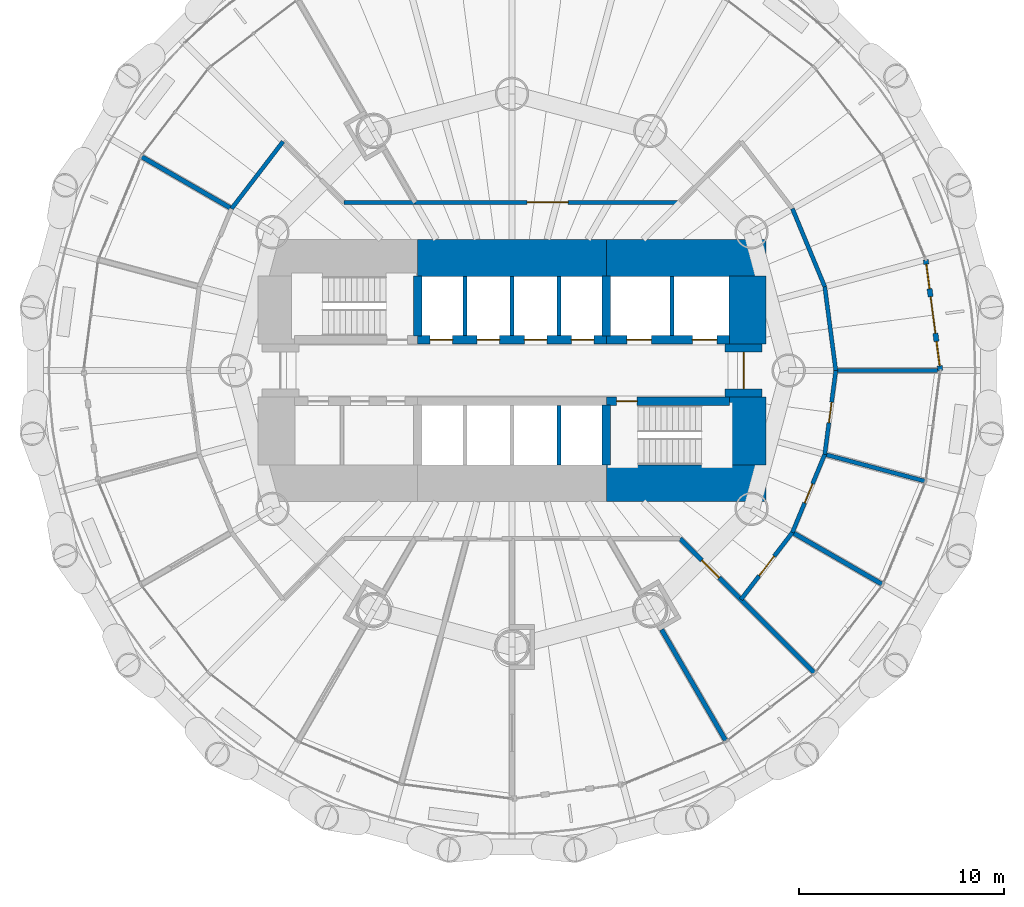
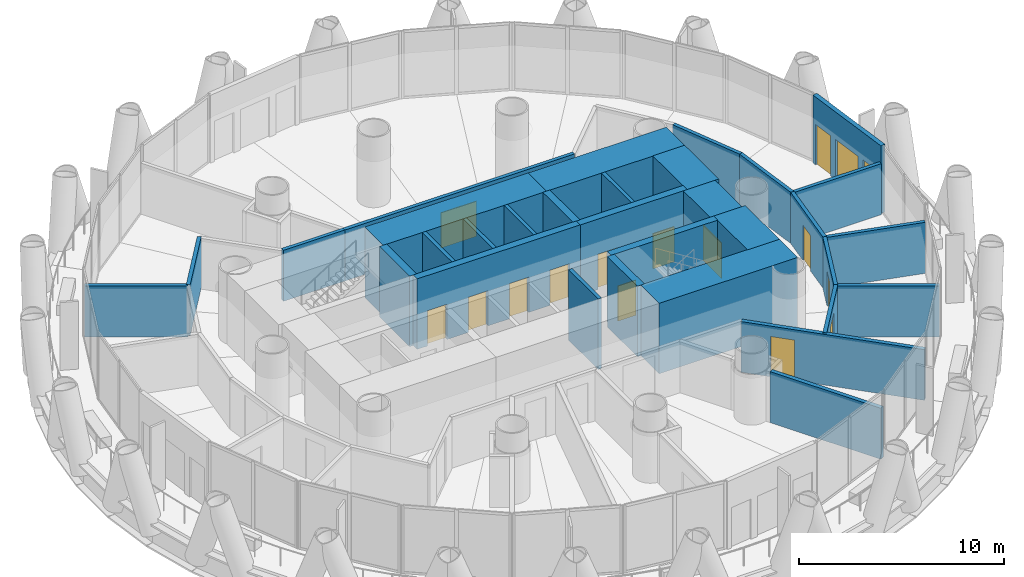
# One storey, part 11 of 15: 32 walls, 14 doors, 2 windows, 16 openings.
"""IFC4 building model written with IfcOpenShell, lengths in metres."""

from ifc_helpers import new_model, si_unit, direction, frame, frame_2d, origin, place, context, subcontext, project, spatial, rectangle, extrude, material, layer, layer_set, type_object, element, fill, save


model = new_model("IFC4")

# Units and contexts
model_context = context("Model", 3, precision=1e-05, world=origin(), true_north=direction((0.0, 1.0)))
body_context = subcontext(model_context, "Body", "Model", "MODEL_VIEW")
ifc_project = project(units=[si_unit("LENGTHUNIT", "METRE"), si_unit("AREAUNIT", "SQUARE_METRE"), si_unit("VOLUMEUNIT", "CUBIC_METRE"), si_unit("PLANEANGLEUNIT", "RADIAN"), si_unit("MASSUNIT", "GRAM", prefix="KILO")], contexts=[model_context])

# Site, building, storey
site_placement = place(None, origin())
site = spatial("IfcSite", under=ifc_project, at=site_placement, CompositionType="ELEMENT")
building_placement = place(site_placement, origin())
building = spatial("IfcBuilding", under=site, at=building_placement, Name="Qaws Media Tower", CompositionType="ELEMENT")
storey_placement = place(building_placement, frame((0.0, 0.0, 30.199951171875)))
storey = spatial("IfcBuildingStorey", under=building, at=storey_placement, Name="L05", CompositionType="ELEMENT", Elevation=30.199951171875)

# Walls
ifc_material_1 = material(Name="Twin metal stud frames, two layers gypsum board each side, insulated, Rw 55", Category="gypsum")
ifc_layer_1 = layer(ifc_material_1, 0.22509765625)
ifc_layer_set_1 = layer_set([ifc_layer_1], Name="Acoustic twin-stud partition 225 Rw 55")
wall_type_1 = type_object("IfcWallType", Name="Acoustic twin-stud partition 225 Rw 55", PredefinedType="PARTITIONING", material=ifc_layer_set_1)
wall_1_placement = place(storey_placement, frame((46.31689453125, 57.89990234375, 0.0), z_axis=(0.0, 0.0, 1.0), x_axis=(-0.866022478443, 0.500005066806, 0.0)))
element("IfcWall", 1, at=wall_1_placement, inside=storey, type_object=wall_type_1, Name="W004 IW6 partition L05", PredefinedType="PARTITIONING", context=body_context, shape_type="SweptSolid", body=[
    extrude(rectangle(XDim=5.06005859375, YDim=0.22509765625, at=frame_2d((2.530029296875, 0.0))), origin(), (0.0, 0.0, 1.0), 3.0400390625),
])
wall_2_placement = place(storey_placement, frame((67.299072265625, 37.35791015625, 0.0), z_axis=(0.0, 0.0, 1.0), x_axis=(0.499980071345, -0.866036909293, 0.0)))
element("IfcWall", 2, at=wall_2_placement, inside=storey, type_object=wall_type_1, Name="W020 IW6 partition L05", PredefinedType="PARTITIONING", context=body_context, shape_type="SweptSolid", body=[
    extrude(rectangle(XDim=6.261962890625, YDim=0.22509765625, at=frame_2d((3.130859375, 0.0))), origin(), (0.0, 0.0, 1.0), 3.0400390625),
])

# Wall, opening, door
wall_3_placement = place(storey_placement, frame((68.199951171875, 41.800048828125, 0.0), z_axis=(0.0, 0.0, 1.0), x_axis=(0.707106781187, -0.707106781187, 0.0)))
wall_3 = element("IfcWall", 3, at=wall_3_placement, inside=storey, type_object=wall_type_1, Name="W021 IW6 partition L05", PredefinedType="PARTITIONING", context=body_context, shape_type="SweptSolid", body=[
    extrude(rectangle(XDim=9.263427734375, YDim=0.22509765625, at=frame_2d((4.6318359375, 0.0))), origin(), (0.0, 0.0, 1.0), 3.02001953125),
])
opening_1_placement = place(wall_3_placement, frame((1.501708984375, 0.0, 0.0)))
opening_1 = element("IfcOpeningElement", 4, at=opening_1_placement, cuts=wall_3, Name="Opening D14", PredefinedType="OPENING", context=body_context, shape_type="SweptSolid", body=[
    extrude(rectangle(XDim=1.199951171875, YDim=2.39990234375, at=frame_2d((0.60009765625, 1.199951171875))), frame((0.0, 0.12255859375, 0.0), z_axis=(0.0, -1.0, 0.0), x_axis=(1.0, 0.0, 0.0)), (0.0, 0.0, 1.0), 0.2451171875),
])
ifc_material_2 = material(Name="Steel acoustic door set, Rw 45", Category="steel")
door_type_1 = type_object("IfcDoorType", Name="Acoustic door 1200x2400 Rw 45", OperationType="SINGLE_SWING_LEFT", PredefinedType="DOOR", material=ifc_material_2)
door_1_placement = place(opening_1_placement, origin())
door_1 = element("IfcDoor", 5, at=door_1_placement, inside=storey, type_object=door_type_1, Name="D14 Podcast booth door L05 in wall W021", OperationType="SINGLE_SWING_LEFT", OverallHeight=2.39990234375, OverallWidth=1.199951171875, PredefinedType="DOOR", context=body_context, shape_type="SweptSolid", body=[
    extrude(rectangle(XDim=1.199951171875, YDim=2.39990234375, at=frame_2d((0.60009765625, 1.199951171875))), frame((0.0, 0.02490234375, 0.0), z_axis=(0.0, -1.0, 0.0), x_axis=(1.0, 0.0, 0.0)), (0.0, 0.0, 1.0), 0.050048828125),
])
fill(opening_1, door_1)

# Wall
wall_4_placement = place(storey_placement, frame((73.68310546875, 42.10009765625, 0.0), z_axis=(0.0, 0.0, 1.0), x_axis=(0.866022478443, -0.500005066806, 0.0)))
element("IfcWall", 6, at=wall_4_placement, inside=storey, type_object=wall_type_1, Name="W022 IW6 partition L05", PredefinedType="PARTITIONING", context=body_context, shape_type="SweptSolid", body=[
    extrude(rectangle(XDim=5.06005859375, YDim=0.22509765625, at=frame_2d((2.530029296875, 0.0))), origin(), (0.0, 0.0, 1.0), 3.0400390625),
])

# Wall, openings, door, windows
ifc_material_3 = material(Name="Precast concrete, exposed finish", Category="concrete")
ifc_layer_2 = layer(ifc_material_3, 0.25)
ifc_layer_set_2 = layer_set([ifc_layer_2], Name="Balcony door wall 250")
wall_type_2 = type_object("IfcWallType", Name="Balcony door wall 250", PredefinedType="SOLIDWALL", material=ifc_layer_set_2)
wall_5_placement = place(storey_placement, frame((80.89990234375, 50.0, 0.0), z_axis=(0.0, 0.0, 1.0), x_axis=(-0.130525119492, 0.991445002601, 0.0)))
wall_5 = element("IfcWall", 7, at=wall_5_placement, inside=storey, type_object=wall_type_2, Name="W112 EW1 balcony door wall L05-01", PredefinedType="SOLIDWALL", context=body_context, shape_type="SweptSolid", body=[
    extrude(rectangle(XDim=5.4560546875, YDim=0.25, at=frame_2d((2.72802734375, 0.0))), origin(), (0.0, 0.0, 1.0), 4.0400390625),
])
opening_2_placement = place(wall_5_placement, frame((1.827880859375, 0.0, 0.0)))
opening_2 = element("IfcOpeningElement", 8, at=opening_2_placement, cuts=wall_5, Name="Opening D7", PredefinedType="OPENING", context=body_context, shape_type="SweptSolid", body=[
    extrude(rectangle(XDim=1.800048828125, YDim=2.39990234375, at=frame_2d((0.89990234375, 1.199951171875))), frame((0.0, 0.135009765625, 0.0), z_axis=(0.0, -1.0, 0.0), x_axis=(1.0, 0.0, 0.0)), (0.0, 0.0, 1.0), 0.27001953125),
])
opening_3_placement = place(wall_5_placement, frame((0.22802734375, 0.0, 0.0)))
opening_3 = element("IfcOpeningElement", 9, at=opening_3_placement, cuts=wall_5, Name="Opening W1", PredefinedType="OPENING", context=body_context, shape_type="SweptSolid", body=[
    extrude(rectangle(XDim=1.199951171875, YDim=2.39990234375, at=frame_2d((0.60009765625, 1.199951171875))), frame((0.0, 0.135009765625, 0.0), z_axis=(0.0, -1.0, 0.0), x_axis=(1.0, 0.0, 0.0)), (0.0, 0.0, 1.0), 0.27001953125),
])
opening_4_placement = place(wall_5_placement, frame((4.028076171875, 0.0, 0.0)))
opening_4 = element("IfcOpeningElement", 10, at=opening_4_placement, cuts=wall_5, Name="Opening W1", PredefinedType="OPENING", context=body_context, shape_type="SweptSolid", body=[
    extrude(rectangle(XDim=1.199951171875, YDim=2.39990234375, at=frame_2d((0.60009765625, 1.199951171875))), frame((0.0, 0.135009765625, 0.0), z_axis=(0.0, -1.0, 0.0), x_axis=(1.0, 0.0, 0.0)), (0.0, 0.0, 1.0), 0.27001953125),
])
ifc_material_4 = material(Name="Aluminium and clear glass", Category="aluminium")
door_type_2 = type_object("IfcDoorType", Name="Balcony door pair 1800", OperationType="DOUBLE_DOOR_SLIDING", PredefinedType="DOOR", material=ifc_material_4)
door_2_placement = place(opening_2_placement, origin())
door_2 = element("IfcDoor", 11, at=door_2_placement, inside=storey, type_object=door_type_2, Name="D7 balcony door L05-01 in wall W112", OperationType="DOUBLE_DOOR_SLIDING", OverallHeight=2.39990234375, OverallWidth=1.800048828125, PredefinedType="DOOR", context=body_context, shape_type="SweptSolid", body=[
    extrude(rectangle(XDim=1.800048828125, YDim=2.39990234375, at=frame_2d((0.89990234375, 1.199951171875))), frame((0.0, 0.02490234375, 0.0), z_axis=(0.0, -1.0, 0.0), x_axis=(1.0, 0.0, 0.0)), (0.0, 0.0, 1.0), 0.050048828125),
])
fill(opening_2, door_2)
ifc_material_5 = material(Name="Aluminium and clear glass", Category="aluminium")
window_type = type_object("IfcWindowType", Name="Balcony side window 1200", PartitioningType="SINGLE_PANEL", PredefinedType="WINDOW", material=ifc_material_5)
window_1_placement = place(opening_3_placement, origin())
window_1 = element("IfcWindow", 12, at=window_1_placement, inside=storey, type_object=window_type, Name="W1 balcony side light L05-01L", OverallHeight=2.39990234375, OverallWidth=1.199951171875, PartitioningType="SINGLE_PANEL", PredefinedType="WINDOW", context=body_context, shape_type="SweptSolid", body=[
    extrude(rectangle(XDim=1.199951171875, YDim=2.39990234375, at=frame_2d((0.60009765625, 1.199951171875))), frame((0.0, 0.030029296875, 0.0), z_axis=(0.0, -1.0, 0.0), x_axis=(1.0, 0.0, 0.0)), (0.0, 0.0, 1.0), 0.06005859375),
])
fill(opening_3, window_1)
window_2_placement = place(opening_4_placement, origin())
window_2 = element("IfcWindow", 13, at=window_2_placement, inside=storey, type_object=window_type, Name="W1 balcony side light L05-01R", OverallHeight=2.39990234375, OverallWidth=1.199951171875, PartitioningType="SINGLE_PANEL", PredefinedType="WINDOW", context=body_context, shape_type="SweptSolid", body=[
    extrude(rectangle(XDim=1.199951171875, YDim=2.39990234375, at=frame_2d((0.60009765625, 1.199951171875))), frame((0.0, 0.030029296875, 0.0), z_axis=(0.0, -1.0, 0.0), x_axis=(1.0, 0.0, 0.0)), (0.0, 0.0, 1.0), 0.06005859375),
])
fill(opening_4, window_2)

# Wall, openings, doors
ifc_material_6 = material(Name="Concrete C60/75", Category="concrete")
ifc_layer_3 = layer(ifc_material_6, 0.39990234375)
ifc_layer_set_3 = layer_set([ifc_layer_3], Name="Core inner wall 400")
wall_type_3 = type_object("IfcWallType", Name="Core inner wall 400", PredefinedType="SHEAR", material=ifc_layer_set_3)
wall_6_placement = place(storey_placement, frame((55.39990234375, 51.5, 0.0), z_axis=(0.0, 0.0, 1.0), x_axis=(1.0, 0.0, 0.0)))
wall_6 = element("IfcWall", 14, at=wall_6_placement, inside=storey, type_object=wall_type_3, Name="W314 SW4 core wall SPN L05", PredefinedType="SHEAR", context=body_context, shape_type="SweptSolid", body=[
    extrude(rectangle(XDim=9.2001953125, YDim=0.39990234375, at=frame_2d((4.60009765625, 0.0))), origin(), (0.0, 0.0, 1.0), 4.199951171875),
])
opening_5_placement = place(wall_6_placement, frame((0.60009765625, 0.0, 0.0)))
opening_5 = element("IfcOpeningElement", 15, at=opening_5_placement, cuts=wall_6, Name="Opening LD", PredefinedType="OPENING", context=body_context, shape_type="SweptSolid", body=[
    extrude(rectangle(XDim=1.10009765625, YDim=2.10009765625, at=frame_2d((0.550048828125, 1.050048828125))), frame((0.0, 0.2099609375, 0.0), z_axis=(0.0, -1.0, 0.0), x_axis=(1.0, 0.0, 0.0)), (0.0, 0.0, 1.0), 0.419921875),
])
opening_6_placement = place(wall_6_placement, frame((2.89990234375, 0.0, 0.0)))
opening_6 = element("IfcOpeningElement", 16, at=opening_6_placement, cuts=wall_6, Name="Opening LD", PredefinedType="OPENING", context=body_context, shape_type="SweptSolid", body=[
    extrude(rectangle(XDim=1.10009765625, YDim=2.10009765625, at=frame_2d((0.550048828125, 1.050048828125))), frame((0.0, 0.2099609375, 0.0), z_axis=(0.0, -1.0, 0.0), x_axis=(1.0, 0.0, 0.0)), (0.0, 0.0, 1.0), 0.419921875),
])
opening_7_placement = place(wall_6_placement, frame((5.199951171875, 0.0, 0.0)))
opening_7 = element("IfcOpeningElement", 17, at=opening_7_placement, cuts=wall_6, Name="Opening LD", PredefinedType="OPENING", context=body_context, shape_type="SweptSolid", body=[
    extrude(rectangle(XDim=1.10009765625, YDim=2.10009765625, at=frame_2d((0.550048828125, 1.050048828125))), frame((0.0, 0.2099609375, 0.0), z_axis=(0.0, -1.0, 0.0), x_axis=(1.0, 0.0, 0.0)), (0.0, 0.0, 1.0), 0.419921875),
])
opening_8_placement = place(wall_6_placement, frame((7.5, 0.0, 0.0)))
opening_8 = element("IfcOpeningElement", 18, at=opening_8_placement, cuts=wall_6, Name="Opening LD", PredefinedType="OPENING", context=body_context, shape_type="SweptSolid", body=[
    extrude(rectangle(XDim=1.10009765625, YDim=2.10009765625, at=frame_2d((0.550048828125, 1.050048828125))), frame((0.0, 0.2099609375, 0.0), z_axis=(0.0, -1.0, 0.0), x_axis=(1.0, 0.0, 0.0)), (0.0, 0.0, 1.0), 0.419921875),
])
ifc_material_7 = material(Name="Steel, fire rated", Category="steel")
door_type_3 = type_object("IfcDoorType", Name="Lift landing door 1100", OperationType="SLIDING_TO_LEFT", PredefinedType="DOOR", material=ifc_material_7)
door_3_placement = place(opening_5_placement, origin())
door_3 = element("IfcDoor", 19, at=door_3_placement, inside=storey, type_object=door_type_3, Name="P1 landing door L05 in wall W314", OperationType="SLIDING_TO_LEFT", OverallHeight=2.10009765625, OverallWidth=1.10009765625, PredefinedType="DOOR", context=body_context, shape_type="SweptSolid", body=[
    extrude(rectangle(XDim=1.10009765625, YDim=2.10009765625, at=frame_2d((0.550048828125, 1.050048828125))), frame((0.0, 0.02490234375, 0.0), z_axis=(0.0, -1.0, 0.0), x_axis=(1.0, 0.0, 0.0)), (0.0, 0.0, 1.0), 0.050048828125),
])
fill(opening_5, door_3)
door_4_placement = place(opening_6_placement, origin())
door_4 = element("IfcDoor", 20, at=door_4_placement, inside=storey, type_object=door_type_3, Name="P2 landing door L05 in wall W314", OperationType="SLIDING_TO_LEFT", OverallHeight=2.10009765625, OverallWidth=1.10009765625, PredefinedType="DOOR", context=body_context, shape_type="SweptSolid", body=[
    extrude(rectangle(XDim=1.10009765625, YDim=2.10009765625, at=frame_2d((0.550048828125, 1.050048828125))), frame((0.0, 0.02490234375, 0.0), z_axis=(0.0, -1.0, 0.0), x_axis=(1.0, 0.0, 0.0)), (0.0, 0.0, 1.0), 0.050048828125),
])
fill(opening_6, door_4)
door_5_placement = place(opening_7_placement, origin())
door_5 = element("IfcDoor", 21, at=door_5_placement, inside=storey, type_object=door_type_3, Name="P3 landing door L05 in wall W314", OperationType="SLIDING_TO_LEFT", OverallHeight=2.10009765625, OverallWidth=1.10009765625, PredefinedType="DOOR", context=body_context, shape_type="SweptSolid", body=[
    extrude(rectangle(XDim=1.10009765625, YDim=2.10009765625, at=frame_2d((0.550048828125, 1.050048828125))), frame((0.0, 0.02490234375, 0.0), z_axis=(0.0, -1.0, 0.0), x_axis=(1.0, 0.0, 0.0)), (0.0, 0.0, 1.0), 0.050048828125),
])
fill(opening_7, door_5)
door_6_placement = place(opening_8_placement, origin())
door_6 = element("IfcDoor", 22, at=door_6_placement, inside=storey, type_object=door_type_3, Name="P4 landing door L05 in wall W314", OperationType="SLIDING_TO_LEFT", OverallHeight=2.10009765625, OverallWidth=1.10009765625, PredefinedType="DOOR", context=body_context, shape_type="SweptSolid", body=[
    extrude(rectangle(XDim=1.10009765625, YDim=2.10009765625, at=frame_2d((0.550048828125, 1.050048828125))), frame((0.0, 0.02490234375, 0.0), z_axis=(0.0, -1.0, 0.0), x_axis=(1.0, 0.0, 0.0)), (0.0, 0.0, 1.0), 0.050048828125),
])
fill(opening_8, door_6)

wall_7_placement = place(storey_placement, frame((64.60009765625, 51.5, 0.0), z_axis=(0.0, 0.0, 1.0), x_axis=(1.0, 0.0, 0.0)))
wall_7 = element("IfcWall", 23, at=wall_7_placement, inside=storey, type_object=wall_type_3, Name="W318 SW4 core wall SPNE L05", PredefinedType="SHEAR", context=body_context, shape_type="SweptSolid", body=[
    extrude(rectangle(XDim=6.02001953125, YDim=0.39990234375, at=frame_2d((3.010009765625, 0.0))), origin(), (0.0, 0.0, 1.0), 4.199951171875),
])
opening_9_placement = place(wall_7_placement, frame((1.0, 0.0, 0.0)))
opening_9 = element("IfcOpeningElement", 24, at=opening_9_placement, cuts=wall_7, Name="Opening LD2", PredefinedType="OPENING", context=body_context, shape_type="SweptSolid", body=[
    extrude(rectangle(XDim=1.199951171875, YDim=2.10009765625, at=frame_2d((0.60009765625, 1.050048828125))), frame((0.0, 0.2099609375, 0.0), z_axis=(0.0, -1.0, 0.0), x_axis=(1.0, 0.0, 0.0)), (0.0, 0.0, 1.0), 0.419921875),
])
opening_10_placement = place(wall_7_placement, frame((4.199951171875, 0.0, 0.0)))
opening_10 = element("IfcOpeningElement", 25, at=opening_10_placement, cuts=wall_7, Name="Opening LD2", PredefinedType="OPENING", context=body_context, shape_type="SweptSolid", body=[
    extrude(rectangle(XDim=1.199951171875, YDim=2.10009765625, at=frame_2d((0.60009765625, 1.050048828125))), frame((0.0, 0.2099609375, 0.0), z_axis=(0.0, -1.0, 0.0), x_axis=(1.0, 0.0, 0.0)), (0.0, 0.0, 1.0), 0.419921875),
])
ifc_material_8 = material(Name="Steel, fire rated", Category="steel")
door_type_4 = type_object("IfcDoorType", Name="Lift landing door 1200", OperationType="SLIDING_TO_LEFT", PredefinedType="DOOR", material=ifc_material_8)
door_7_placement = place(opening_9_placement, origin())
door_7 = element("IfcDoor", 26, at=door_7_placement, inside=storey, type_object=door_type_4, Name="FL1 landing door L05 in wall W318", OperationType="SLIDING_TO_LEFT", OverallHeight=2.10009765625, OverallWidth=1.199951171875, PredefinedType="DOOR", context=body_context, shape_type="SweptSolid", body=[
    extrude(rectangle(XDim=1.199951171875, YDim=2.10009765625, at=frame_2d((0.60009765625, 1.050048828125))), frame((0.0, 0.02490234375, 0.0), z_axis=(0.0, -1.0, 0.0), x_axis=(1.0, 0.0, 0.0)), (0.0, 0.0, 1.0), 0.050048828125),
])
fill(opening_9, door_7)
door_8_placement = place(opening_10_placement, origin())
door_8 = element("IfcDoor", 27, at=door_8_placement, inside=storey, type_object=door_type_4, Name="FL2 landing door L05 in wall W318", OperationType="SLIDING_TO_LEFT", OverallHeight=2.10009765625, OverallWidth=1.199951171875, PredefinedType="DOOR", context=body_context, shape_type="SweptSolid", body=[
    extrude(rectangle(XDim=1.199951171875, YDim=2.10009765625, at=frame_2d((0.60009765625, 1.050048828125))), frame((0.0, 0.02490234375, 0.0), z_axis=(0.0, -1.0, 0.0), x_axis=(1.0, 0.0, 0.0)), (0.0, 0.0, 1.0), 0.050048828125),
])
fill(opening_10, door_8)

# Wall, opening, door
wall_8_placement = place(storey_placement, frame((64.60009765625, 48.5, 0.0), z_axis=(0.0, 0.0, 1.0), x_axis=(1.0, 0.0, 0.0)))
wall_8 = element("IfcWall", 28, at=wall_8_placement, inside=storey, type_object=wall_type_3, Name="W317 SW4 core wall SPSE L05", PredefinedType="SHEAR", context=body_context, shape_type="SweptSolid", body=[
    extrude(rectangle(XDim=6.02001953125, YDim=0.39990234375, at=frame_2d((3.010009765625, 0.0))), origin(), (0.0, 0.0, 1.0), 4.199951171875),
])
opening_11_placement = place(wall_8_placement, frame((0.5, 0.0, 0.0)))
opening_11 = element("IfcOpeningElement", 29, at=opening_11_placement, cuts=wall_8, Name="Opening D1", PredefinedType="OPENING", context=body_context, shape_type="SweptSolid", body=[
    extrude(rectangle(XDim=1.0, YDim=2.10009765625, at=frame_2d((0.5, 1.050048828125))), frame((0.0, 0.2099609375, 0.0), z_axis=(0.0, -1.0, 0.0), x_axis=(1.0, 0.0, 0.0)), (0.0, 0.0, 1.0), 0.419921875),
])
ifc_material_9 = material(Name="Steel, fire rated", Category="steel")
door_type_5 = type_object("IfcDoorType", Name="Stair door 1000 FD120", OperationType="SINGLE_SWING_LEFT", PredefinedType="DOOR", material=ifc_material_9)
door_9_placement = place(opening_11_placement, origin())
door_9 = element("IfcDoor", 30, at=door_9_placement, inside=storey, type_object=door_type_5, Name="D1 stair S2 door L05 in wall W317", OperationType="SINGLE_SWING_LEFT", OverallHeight=2.10009765625, OverallWidth=1.0, PredefinedType="DOOR", context=body_context, shape_type="SweptSolid", body=[
    extrude(rectangle(XDim=1.0, YDim=2.10009765625, at=frame_2d((0.5, 1.050048828125))), frame((0.0, 0.02490234375, 0.0), z_axis=(0.0, -1.0, 0.0), x_axis=(1.0, 0.0, 0.0)), (0.0, 0.0, 1.0), 0.050048828125),
])
fill(opening_11, door_9)

# Walls
for number, where, z_axis, x_axis, name in (
    (31, (55.39990234375, 51.679931640625, 0.0), (0.0, 0.0, 1.0), (0.0, 1.0, 0.0), "W315 SW4 core wall XNW L05"),
    (32, (64.60009765625, 51.679931640625, 0.0), (0.0, 0.0, 1.0), (0.0, 1.0, 0.0), "W319 SW4 core wall XNE L05"),
    (33, (64.60009765625, 48.320068359375, 0.0), (0.0, 0.0, 1.0), (0.0, -1.0, 0.0), "W316 SW4 core wall XSE L05"),
):
    element("IfcWall", number, at=place(storey_placement, frame(where, z_axis=z_axis, x_axis=x_axis)), inside=storey, type_object=wall_type_3, Name=name, PredefinedType="SHEAR", context=body_context, shape_type="SweptSolid", body=[
        extrude(rectangle(XDim=2.940185546875, YDim=0.39990234375, at=frame_2d((1.47021484375, 0.0))), origin(), (0.0, 0.0, 1.0), 4.199951171875),
    ])
ifc_material_10 = material(Name="Concrete C60/75", Category="concrete")
ifc_layer_4 = layer(ifc_material_10, 1.800048828125)
ifc_layer_set_4 = layer_set([ifc_layer_4], Name="Core wall 1800")
wall_type_4 = type_object("IfcWallType", Name="Core wall 1800", PredefinedType="SHEAR", material=ifc_layer_set_4)
wall_9_placement = place(storey_placement, frame((55.39990234375, 55.5, 0.0), z_axis=(0.0, 0.0, 1.0), x_axis=(1.0, 0.0, 0.0)))
element("IfcWall", 34, at=wall_9_placement, inside=storey, type_object=wall_type_4, Name="W404 SW11 core wall N L05", PredefinedType="SHEAR", context=body_context, shape_type="SweptSolid", body=[
    extrude(rectangle(XDim=9.2001953125, YDim=1.800048828125, at=frame_2d((4.60009765625, 0.0))), origin(), (0.0, 0.0, 1.0), 4.199951171875),
])
for number, where, z_axis, x_axis, name in (
    (35, (64.60009765625, 55.5, 0.0), (0.0, 0.0, 1.0), (1.0, 0.0, 0.0), "W406 SW11 core wall NE L05"),
    (36, (64.60009765625, 44.5, 0.0), (0.0, 0.0, 1.0), (1.0, 0.0, 0.0), "W405 SW11 core wall SE L05"),
):
    element("IfcWall", number, at=place(storey_placement, frame(where, z_axis=z_axis, x_axis=x_axis)), inside=storey, type_object=wall_type_4, Name=name, PredefinedType="SHEAR", context=body_context, shape_type="SweptSolid", body=[
        extrude(rectangle(XDim=7.7998046875, YDim=1.800048828125, at=frame_2d((3.89990234375, 0.0))), origin(), (0.0, 0.0, 1.0), 4.199951171875),
    ])
wall_10_placement = place(storey_placement, frame((71.5, 45.3798828125, 0.0), z_axis=(0.0, 0.0, 1.0), x_axis=(0.0, 1.0, 0.0)))
element("IfcWall", 37, at=wall_10_placement, inside=storey, type_object=wall_type_4, Name="W414 SW11 core wall ES L05", PredefinedType="SHEAR", context=body_context, shape_type="SweptSolid", body=[
    extrude(rectangle(XDim=3.320068359375, YDim=1.800048828125, at=frame_2d((1.66015625, 0.0))), origin(), (0.0, 0.0, 1.0), 4.199951171875),
])

# Wall, opening, door
wall_11_placement = place(storey_placement, frame((71.300048828125, 48.699951171875, 0.0), z_axis=(0.0, 0.0, 1.0), x_axis=(0.0, 1.0, 0.0)))
wall_11 = element("IfcWall", 38, at=wall_11_placement, inside=storey, type_object=wall_type_4, Name="W413 SW11 core wall E L05", PredefinedType="SHEAR", context=body_context, shape_type="SweptSolid", body=[
    extrude(rectangle(XDim=2.60009765625, YDim=1.800048828125, at=frame_2d((1.300048828125, 0.0))), origin(), (0.0, 0.0, 1.0), 4.199951171875),
])
opening_12_placement = place(wall_11_placement, frame((0.39990234375, 0.0, 0.0)))
opening_12 = element("IfcOpeningElement", 39, at=opening_12_placement, cuts=wall_11, Name="Opening D2", PredefinedType="OPENING", context=body_context, shape_type="SweptSolid", body=[
    extrude(rectangle(XDim=1.800048828125, YDim=2.10009765625, at=frame_2d((0.89990234375, 1.050048828125))), frame((0.0, 0.909912109375, 0.0), z_axis=(0.0, -1.0, 0.0), x_axis=(1.0, 0.0, 0.0)), (0.0, 0.0, 1.0), 1.820068359375),
])
ifc_material_11 = material(Name="Steel and glass, fire rated", Category="steel")
door_type_6 = type_object("IfcDoorType", Name="Lobby door pair 1800 FD60", OperationType="DOUBLE_DOOR_DOUBLE_SWING", PredefinedType="DOOR", material=ifc_material_11)
door_10_placement = place(opening_12_placement, origin())
door_10 = element("IfcDoor", 40, at=door_10_placement, inside=storey, type_object=door_type_6, Name="D2 core lobby door E L05 in wall W413", OperationType="DOUBLE_DOOR_DOUBLE_SWING", OverallHeight=2.10009765625, OverallWidth=1.800048828125, PredefinedType="DOOR", context=body_context, shape_type="SweptSolid", body=[
    extrude(rectangle(XDim=1.800048828125, YDim=2.10009765625, at=frame_2d((0.89990234375, 1.050048828125))), frame((0.0, 0.02490234375, 0.0), z_axis=(0.0, -1.0, 0.0), x_axis=(1.0, 0.0, 0.0)), (0.0, 0.0, 1.0), 0.050048828125),
])
fill(opening_12, door_10)

# Walls
wall_12_placement = place(storey_placement, frame((71.5, 51.300048828125, 0.0), z_axis=(0.0, 0.0, 1.0), x_axis=(0.0, 1.0, 0.0)))
element("IfcWall", 41, at=wall_12_placement, inside=storey, type_object=wall_type_4, Name="W415 SW11 core wall EN L05", PredefinedType="SHEAR", context=body_context, shape_type="SweptSolid", body=[
    extrude(rectangle(XDim=3.320068359375, YDim=1.800048828125, at=frame_2d((1.66015625, 0.0))), origin(), (0.0, 0.0, 1.0), 4.199951171875),
])
ifc_material_12 = material(Name="Gypsum board on galvanised metal studs, acoustic double stud, deflection head", Category="gypsum")
ifc_layer_5 = layer(ifc_material_12, 0.199951171875)
ifc_layer_set_5 = layer_set([ifc_layer_5], Name="Room partition 200")
wall_type_5 = type_object("IfcWallType", Name="Room partition 200", PredefinedType="PARTITIONING", material=ifc_layer_set_5)
wall_13_placement = place(storey_placement, frame((46.31689453125, 57.89990234375, 0.0), z_axis=(0.0, 0.0, 1.0), x_axis=(0.608714823874, 0.793389099494, 0.0)))
element("IfcWall", 42, at=wall_13_placement, inside=storey, type_object=wall_type_5, Name="W947 IW3 partition L05", PredefinedType="PARTITIONING", context=body_context, shape_type="SweptSolid", body=[
    extrude(rectangle(XDim=4.124755859375, YDim=0.199951171875, at=frame_2d((2.0625, 0.0))), origin(), (0.0, 0.0, 1.0), 3.0400390625),
])
wall_14_placement = place(storey_placement, frame((51.800048828125, 58.199951171875, 0.0), z_axis=(0.0, 0.0, 1.0), x_axis=(1.0, 0.0, 0.0)))
element("IfcWall", 43, at=wall_14_placement, inside=storey, type_object=wall_type_5, Name="W963 IW3 partition L05", PredefinedType="PARTITIONING", context=body_context, shape_type="SweptSolid", body=[
    extrude(rectangle(XDim=3.465576171875, YDim=0.199951171875, at=frame_2d((1.73291015625, 0.0))), origin(), (0.0, 0.0, 1.0), 3.0400390625),
])

# Wall, opening, door
wall_15_placement = place(storey_placement, frame((55.265625, 58.199951171875, 0.0), z_axis=(0.0, 0.0, 1.0), x_axis=(1.0, 0.0, 0.0)))
wall_15 = element("IfcWall", 44, at=wall_15_placement, inside=storey, type_object=wall_type_5, Name="W969 IW3 partition L05", PredefinedType="PARTITIONING", context=body_context, shape_type="SweptSolid", body=[
    extrude(rectangle(XDim=12.934326171875, YDim=0.199951171875, at=frame_2d((6.46728515625, 0.0))), origin(), (0.0, 0.0, 1.0), 3.0400390625),
])
opening_13_placement = place(wall_15_placement, frame((5.467041015625, 0.0, 0.0)))
opening_13 = element("IfcOpeningElement", 45, at=opening_13_placement, cuts=wall_15, Name="Opening D6", PredefinedType="OPENING", context=body_context, shape_type="SweptSolid", body=[
    extrude(rectangle(XDim=2.0, YDim=2.10009765625, at=frame_2d((1.0, 1.050048828125))), frame((0.0, 0.10986328125, 0.0), z_axis=(0.0, -1.0, 0.0), x_axis=(1.0, 0.0, 0.0)), (0.0, 0.0, 1.0), 0.219970703125),
])
ifc_material_13 = material(Name="Steel, acoustic, fire rated", Category="steel")
door_type_7 = type_object("IfcDoorType", Name="Room door pair 2000", OperationType="DOUBLE_DOOR_DOUBLE_SWING", PredefinedType="DOOR", material=ifc_material_13)
door_11_placement = place(opening_13_placement, origin())
door_11 = element("IfcDoor", 46, at=door_11_placement, inside=storey, type_object=door_type_7, Name="D6 Production office door L05 in wall W969", OperationType="DOUBLE_DOOR_DOUBLE_SWING", OverallHeight=2.10009765625, OverallWidth=2.0, PredefinedType="DOOR", context=body_context, shape_type="SweptSolid", body=[
    extrude(rectangle(XDim=2.0, YDim=2.10009765625, at=frame_2d((1.0, 1.050048828125))), frame((0.0, 0.02490234375, 0.0), z_axis=(0.0, -1.0, 0.0), x_axis=(1.0, 0.0, 0.0)), (0.0, 0.0, 1.0), 0.050048828125),
])
fill(opening_13, door_11)

# Walls
wall_16_placement = place(storey_placement, frame((73.68310546875, 57.89990234375, 0.0), z_axis=(0.0, 0.0, 1.0), x_axis=(0.382731667114, -0.923859551549, 0.0)))
element("IfcWall", 47, at=wall_16_placement, inside=storey, type_object=wall_type_5, Name="W956 IW3 partition L05", PredefinedType="PARTITIONING", context=body_context, shape_type="SweptSolid", body=[
    extrude(rectangle(XDim=4.12451171875, YDim=0.199951171875, at=frame_2d((2.062255859375, 0.0))), origin(), (0.0, 0.0, 1.0), 3.0400390625),
])
wall_17_placement = place(storey_placement, frame((75.26171875, 54.08935546875, 0.0), z_axis=(0.0, 0.0, 1.0), x_axis=(0.130515758099, -0.991446234996, 0.0)))
element("IfcWall", 48, at=wall_17_placement, inside=storey, type_object=wall_type_5, Name="W958 IW3 partition L05", PredefinedType="PARTITIONING", context=body_context, shape_type="SweptSolid", body=[
    extrude(rectangle(XDim=4.124755859375, YDim=0.199951171875, at=frame_2d((2.0625, 0.0))), origin(), (0.0, 0.0, 1.0), 3.0400390625),
])

# Wall, opening, door
wall_18_placement = place(storey_placement, frame((75.800048828125, 50.0, 0.0), z_axis=(0.0, 0.0, 1.0), x_axis=(-0.130515758099, -0.991446234996, 0.0)))
wall_18 = element("IfcWall", 49, at=wall_18_placement, inside=storey, type_object=wall_type_5, Name="W959 IW3 partition L05", PredefinedType="PARTITIONING", context=body_context, shape_type="SweptSolid", body=[
    extrude(rectangle(XDim=4.124755859375, YDim=0.199951171875, at=frame_2d((2.0625, 0.0))), origin(), (0.0, 0.0, 1.0), 3.0400390625),
])
opening_14_placement = place(wall_18_placement, frame((1.562255859375, 0.0, 0.0)))
opening_14 = element("IfcOpeningElement", 50, at=opening_14_placement, cuts=wall_18, Name="Opening D5", PredefinedType="OPENING", context=body_context, shape_type="SweptSolid", body=[
    extrude(rectangle(XDim=1.0, YDim=2.10009765625, at=frame_2d((0.5, 1.050048828125))), frame((0.0, 0.10986328125, 0.0), z_axis=(0.0, -1.0, 0.0), x_axis=(1.0, 0.0, 0.0)), (0.0, 0.0, 1.0), 0.219970703125),
])
ifc_material_14 = material(Name="Timber veneered, acoustic seal", Category="wood")
door_type_8 = type_object("IfcDoorType", Name="Room door 1000", OperationType="SINGLE_SWING_LEFT", PredefinedType="DOOR", material=ifc_material_14)
door_12_placement = place(opening_14_placement, origin())
door_12 = element("IfcDoor", 51, at=door_12_placement, inside=storey, type_object=door_type_8, Name="D5 Ladies toilets door L05 in wall W959", OperationType="SINGLE_SWING_LEFT", OverallHeight=2.10009765625, OverallWidth=1.0, PredefinedType="DOOR", context=body_context, shape_type="SweptSolid", body=[
    extrude(rectangle(XDim=1.0, YDim=2.10009765625, at=frame_2d((0.5, 1.050048828125))), frame((0.0, 0.02490234375, 0.0), z_axis=(0.0, -1.0, 0.0), x_axis=(1.0, 0.0, 0.0)), (0.0, 0.0, 1.0), 0.050048828125),
])
fill(opening_14, door_12)

wall_19_placement = place(storey_placement, frame((75.26171875, 45.91064453125, 0.0), z_axis=(0.0, 0.0, 1.0), x_axis=(-0.382731667114, -0.923859551549, 0.0)))
wall_19 = element("IfcWall", 52, at=wall_19_placement, inside=storey, type_object=wall_type_5, Name="W957 IW3 partition L05", PredefinedType="PARTITIONING", context=body_context, shape_type="SweptSolid", body=[
    extrude(rectangle(XDim=4.12451171875, YDim=0.199951171875, at=frame_2d((2.062255859375, 0.0))), origin(), (0.0, 0.0, 1.0), 3.0400390625),
])
opening_15_placement = place(wall_19_placement, frame((1.562255859375, 0.0, 0.0)))
opening_15 = element("IfcOpeningElement", 53, at=opening_15_placement, cuts=wall_19, Name="Opening D5", PredefinedType="OPENING", context=body_context, shape_type="SweptSolid", body=[
    extrude(rectangle(XDim=1.0, YDim=2.10009765625, at=frame_2d((0.5, 1.050048828125))), frame((0.0, 0.10986328125, 0.0), z_axis=(0.0, -1.0, 0.0), x_axis=(1.0, 0.0, 0.0)), (0.0, 0.0, 1.0), 0.219970703125),
])
door_13_placement = place(opening_15_placement, origin())
door_13 = element("IfcDoor", 54, at=door_13_placement, inside=storey, type_object=door_type_8, Name="D5 Gents toilets door L05 in wall W957", OperationType="SINGLE_SWING_LEFT", OverallHeight=2.10009765625, OverallWidth=1.0, PredefinedType="DOOR", context=body_context, shape_type="SweptSolid", body=[
    extrude(rectangle(XDim=1.0, YDim=2.10009765625, at=frame_2d((0.5, 1.050048828125))), frame((0.0, 0.02490234375, 0.0), z_axis=(0.0, -1.0, 0.0), x_axis=(1.0, 0.0, 0.0)), (0.0, 0.0, 1.0), 0.050048828125),
])
fill(opening_15, door_13)

wall_20_placement = place(storey_placement, frame((73.68310546875, 42.10009765625, 0.0), z_axis=(0.0, 0.0, 1.0), x_axis=(-0.608714823874, -0.793389099494, 0.0)))
wall_20 = element("IfcWall", 55, at=wall_20_placement, inside=storey, type_object=wall_type_5, Name="W954 IW3 partition L05", PredefinedType="PARTITIONING", context=body_context, shape_type="SweptSolid", body=[
    extrude(rectangle(XDim=4.124755859375, YDim=0.199951171875, at=frame_2d((2.0625, 0.0))), origin(), (0.0, 0.0, 1.0), 3.0400390625),
])
opening_16_placement = place(wall_20_placement, frame((1.46240234375, 0.0, 0.0)))
opening_16 = element("IfcOpeningElement", 56, at=opening_16_placement, cuts=wall_20, Name="Opening D14", PredefinedType="OPENING", context=body_context, shape_type="SweptSolid", body=[
    extrude(rectangle(XDim=1.199951171875, YDim=2.39990234375, at=frame_2d((0.60009765625, 1.199951171875))), frame((0.0, 0.10986328125, 0.0), z_axis=(0.0, -1.0, 0.0), x_axis=(1.0, 0.0, 0.0)), (0.0, 0.0, 1.0), 0.219970703125),
])
door_14_placement = place(opening_16_placement, origin())
door_14 = element("IfcDoor", 57, at=door_14_placement, inside=storey, type_object=door_type_1, Name="D14 Music library door L05 in wall W954", OperationType="SINGLE_SWING_LEFT", OverallHeight=2.39990234375, OverallWidth=1.199951171875, PredefinedType="DOOR", context=body_context, shape_type="SweptSolid", body=[
    extrude(rectangle(XDim=1.199951171875, YDim=2.39990234375, at=frame_2d((0.60009765625, 1.199951171875))), frame((0.0, 0.02490234375, 0.0), z_axis=(0.0, -1.0, 0.0), x_axis=(1.0, 0.0, 0.0)), (0.0, 0.0, 1.0), 0.050048828125),
])
fill(opening_16, door_14)

# Walls
wall_21_placement = place(storey_placement, frame((75.800048828125, 50.0, 0.0), z_axis=(0.0, 0.0, 1.0), x_axis=(1.0, 0.0, 0.0)))
element("IfcWall", 58, at=wall_21_placement, inside=storey, type_object=wall_type_5, Name="W977 IW3 partition L05", PredefinedType="PARTITIONING", context=body_context, shape_type="SweptSolid", body=[
    extrude(rectangle(XDim=4.9599609375, YDim=0.199951171875, at=frame_2d((2.47998046875, 0.0))), origin(), (0.0, 0.0, 1.0), 3.0400390625),
])
wall_22_placement = place(storey_placement, frame((75.26171875, 45.91064453125, 0.0), z_axis=(0.0, 0.0, 1.0), x_axis=(0.965926729572, -0.258815673981, 0.0)))
element("IfcWall", 59, at=wall_22_placement, inside=storey, type_object=wall_type_5, Name="W976 IW3 partition L05", PredefinedType="PARTITIONING", context=body_context, shape_type="SweptSolid", body=[
    extrude(rectangle(XDim=5.059814453125, YDim=0.199951171875, at=frame_2d((2.52978515625, 0.0))), origin(), (0.0, 0.0, 1.0), 3.0400390625),
])
ifc_material_15 = material(Name="Fire-rated gypsum board shaft wall on galvanised metal studs, deflection head", Category="gypsum")
ifc_layer_6 = layer(ifc_material_15, 0.199951171875)
ifc_layer_set_6 = layer_set([ifc_layer_6], Name="Shaft wall 200")
wall_type_6 = type_object("IfcWallType", Name="Shaft wall 200", PredefinedType="PARTITIONING", material=ifc_layer_set_6)
for number, where, z_axis, x_axis, name in (
    (60, (57.699951171875, 51.699951171875, 0.0), (0.0, 0.0, 1.0), (0.0, 1.0, 0.0), "W1842 IW1 shaft wall N1 L05"),
    (61, (60.0, 51.699951171875, 0.0), (0.0, 0.0, 1.0), (0.0, 1.0, 0.0), "W1843 IW1 shaft wall N2 L05"),
    (62, (62.300048828125, 51.699951171875, 0.0), (0.0, 0.0, 1.0), (0.0, 1.0, 0.0), "W1844 IW1 shaft wall N3 L05"),
    (63, (62.300048828125, 45.39990234375, 0.0), (0.0, 0.0, 1.0), (0.0, 1.0, 0.0), "W1839 IW1 shaft wall S3 L05"),
    (64, (67.800048828125, 51.699951171875, 0.0), (0.0, 0.0, 1.0), (0.0, 1.0, 0.0), "W1845 IW1 shaft wall FL L05"),
):
    element("IfcWall", number, at=place(storey_placement, frame(where, z_axis=z_axis, x_axis=x_axis)), inside=storey, type_object=wall_type_6, Name=name, PredefinedType="PARTITIONING", context=body_context, shape_type="SweptSolid", body=[
        extrude(rectangle(XDim=2.900146484375, YDim=0.199951171875, at=frame_2d((1.4501953125, 0.0))), origin(), (0.0, 0.0, 1.0), 4.199951171875),
    ])

save(model, "model.ifc")
